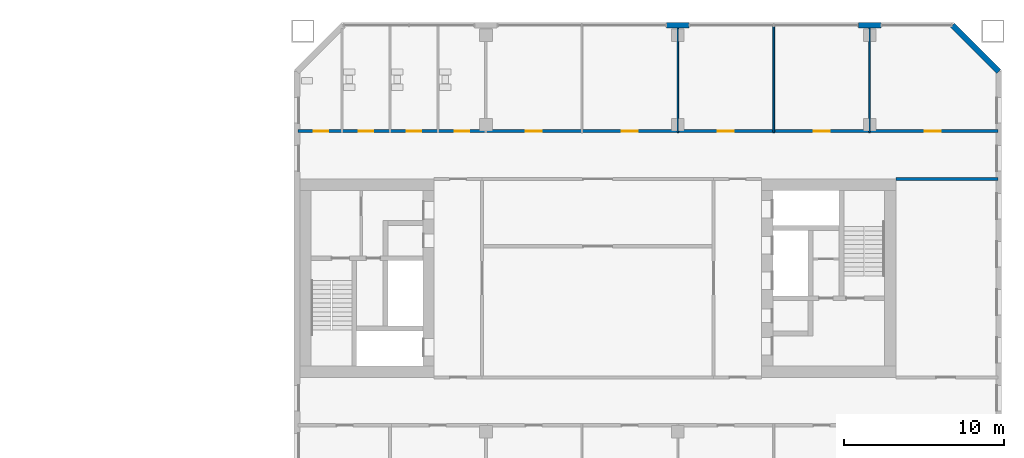
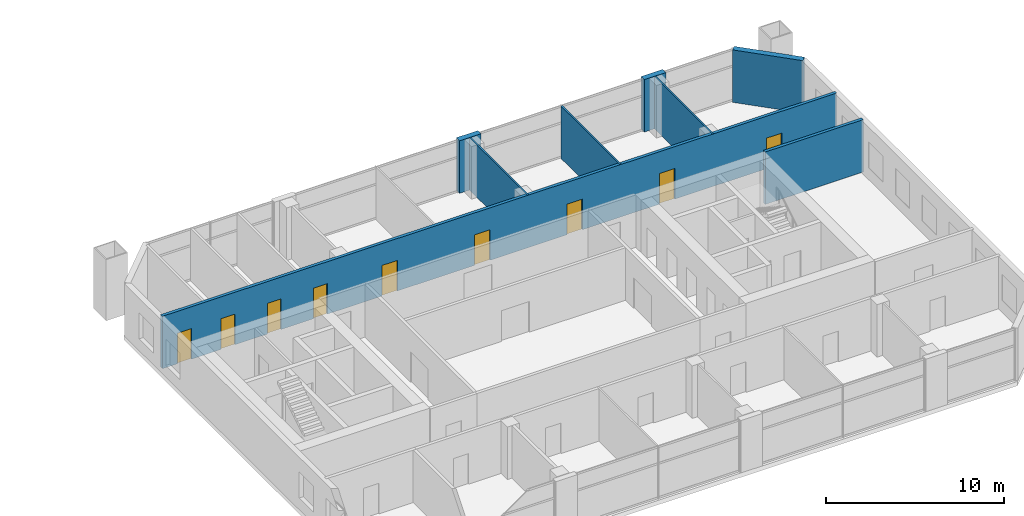
# One storey, part 16 of 19: 9 doors, 8 walls, 9 openings.
"""IFC4 building model written with IfcOpenShell, lengths in metres."""

from ifc_helpers import new_model, si_unit, direction, frame, frame_2d, origin, place, context, subcontext, project, spatial, rectangle, extrude, material, layer, layer_set, type_object, element, fill, save


model = new_model("IFC4")

# Units and contexts
model_context = context("Model", 3, precision=1e-05, world=origin(), true_north=direction((0.0, 1.0)))
body_context = subcontext(model_context, "Body", "Model", "MODEL_VIEW")
ifc_project = project(units=[si_unit("LENGTHUNIT", "METRE"), si_unit("AREAUNIT", "SQUARE_METRE"), si_unit("VOLUMEUNIT", "CUBIC_METRE"), si_unit("PLANEANGLEUNIT", "RADIAN"), si_unit("MASSUNIT", "GRAM", prefix="KILO")], contexts=[model_context])

# Site, building, storey
site_placement = place(None, origin())
site = spatial("IfcSite", under=ifc_project, at=site_placement, CompositionType="ELEMENT")
building_placement = place(site_placement, origin())
building = spatial("IfcBuilding", under=site, at=building_placement, Name="Tuart Gate Housing", CompositionType="ELEMENT")
storey_placement = place(building_placement, frame((0.0, 0.0, 67.39990234375)))
storey = spatial("IfcBuildingStorey", under=building, at=storey_placement, Name="L18", CompositionType="ELEMENT", Elevation=67.39990234375)

# Walls
ifc_material_1 = material(Name="Brick", Category="masonry")
ifc_layer_1 = layer(ifc_material_1, 0.360107421875)
ifc_layer_set_1 = layer_set([ifc_layer_1], Name="Brick pier and spandrel wall 360")
wall_type_1 = type_object("IfcWallType", Name="Brick pier and spandrel wall 360", PredefinedType="STANDARD", material=ifc_layer_set_1)
wall_1_placement = place(storey_placement, frame((175.070068359375, 82.92529296875, 0.0), z_axis=(0.0, 0.0, 1.0), x_axis=(-0.707106781187, 0.707106781187, 0.0)))
element("IfcWall", 1, at=wall_1_placement, inside=storey, type_object=wall_type_1, Name="External wall B-NE L18", PredefinedType="STANDARD", context=body_context, shape_type="SweptSolid", body=[
    extrude(rectangle(XDim=4.09375, YDim=0.360107421875, at=frame_2d((2.046875, 0.0))), origin(), (0.0, 0.0, 1.0), 3.60009765625),
])
for number, where, z_axis, x_axis, name in (
    (2, (167.699951171875, 85.820068359375, 0.0), (0.0, 0.0, 1.0), (-1.0, 0.0, 0.0), "External wall B-N L18"),
    (3, (155.699951171875, 85.820068359375, 0.0), (0.0, 0.0, 1.0), (-1.0, 0.0, 0.0), "External wall B-N L18"),
):
    element("IfcWall", number, at=place(storey_placement, frame(where, z_axis=z_axis, x_axis=x_axis)), inside=storey, type_object=wall_type_1, Name=name, PredefinedType="STANDARD", context=body_context, shape_type="SweptSolid", body=[
        extrude(rectangle(XDim=1.39990234375, YDim=0.360107421875, at=frame_2d((0.699951171875, 0.0))), origin(), (0.0, 0.0, 1.0), 3.60009765625),
    ])
ifc_material_2 = material(Name="Concrete masonry 15 MPa", Category="masonry")
ifc_layer_2 = layer(ifc_material_2, 0.199951171875)
ifc_layer_set_2 = layer_set([ifc_layer_2], Name="Corridor wall masonry 200")
wall_type_2 = type_object("IfcWallType", Name="Corridor wall masonry 200", PredefinedType="PARTITIONING", material=ifc_layer_set_2)
wall_2_placement = place(storey_placement, frame((168.639892578125, 76.199951171875, 0.0), z_axis=(0.0, 0.0, 1.0), x_axis=(1.0, 0.0, 0.0)))
element("IfcWall", 4, at=wall_2_placement, inside=storey, type_object=wall_type_2, Name="Corridor wall masonry 200", PredefinedType="PARTITIONING", context=body_context, shape_type="SweptSolid", body=[
    extrude(rectangle(XDim=6.3701171875, YDim=0.199951171875, at=frame_2d((3.18505859375, 0.0))), origin(), (0.0, 0.0, 1.0), 3.60009765625),
])

# Wall, openings, doors
wall_3_placement = place(storey_placement, frame((131.239990234375, 79.199951171875, 0.0), z_axis=(0.0, 0.0, 1.0), x_axis=(1.0, 0.0, 0.0)))
wall_3 = element("IfcWall", 5, at=wall_3_placement, inside=storey, type_object=wall_type_2, Name="Corridor wall masonry 200", PredefinedType="PARTITIONING", context=body_context, shape_type="SweptSolid", body=[
    extrude(rectangle(XDim=43.77001953125, YDim=0.199951171875, at=frame_2d((21.885009765625, 0.0))), origin(), (0.0, 0.0, 1.0), 3.60009765625),
])
opening_1_placement = place(wall_3_placement, frame((0.989990234375, 0.0, 0.0)))
opening_1 = element("IfcOpeningElement", 6, at=opening_1_placement, cuts=wall_3, Name="Opening D112", PredefinedType="OPENING", context=body_context, shape_type="SweptSolid", body=[
    extrude(rectangle(XDim=0.89990234375, YDim=2.10009765625, at=frame_2d((0.449951171875, 1.050048828125))), frame((0.0, 0.10986328125, 0.0), z_axis=(0.0, -1.0, 0.0), x_axis=(1.0, 0.0, 0.0)), (0.0, 0.0, 1.0), 0.219970703125),
])
opening_2_placement = place(wall_3_placement, frame((3.81005859375, 0.0, 0.0)))
opening_2 = element("IfcOpeningElement", 7, at=opening_2_placement, cuts=wall_3, Name="Opening D113", PredefinedType="OPENING", context=body_context, shape_type="SweptSolid", body=[
    extrude(rectangle(XDim=0.89990234375, YDim=2.10009765625, at=frame_2d((0.449951171875, 1.050048828125))), frame((0.0, 0.10986328125, 0.0), z_axis=(0.0, -1.0, 0.0), x_axis=(1.0, 0.0, 0.0)), (0.0, 0.0, 1.0), 0.219970703125),
])
opening_3_placement = place(wall_3_placement, frame((6.81005859375, 0.0, 0.0)))
opening_3 = element("IfcOpeningElement", 8, at=opening_3_placement, cuts=wall_3, Name="Opening D114", PredefinedType="OPENING", context=body_context, shape_type="SweptSolid", body=[
    extrude(rectangle(XDim=0.89990234375, YDim=2.10009765625, at=frame_2d((0.449951171875, 1.050048828125))), frame((0.0, 0.10986328125, 0.0), z_axis=(0.0, -1.0, 0.0), x_axis=(1.0, 0.0, 0.0)), (0.0, 0.0, 1.0), 0.219970703125),
])
opening_4_placement = place(wall_3_placement, frame((9.81005859375, 0.0, 0.0)))
opening_4 = element("IfcOpeningElement", 9, at=opening_4_placement, cuts=wall_3, Name="Opening D115", PredefinedType="OPENING", context=body_context, shape_type="SweptSolid", body=[
    extrude(rectangle(XDim=0.89990234375, YDim=2.10009765625, at=frame_2d((0.449951171875, 1.050048828125))), frame((0.0, 0.10986328125, 0.0), z_axis=(0.0, -1.0, 0.0), x_axis=(1.0, 0.0, 0.0)), (0.0, 0.0, 1.0), 0.219970703125),
])
opening_5_placement = place(wall_3_placement, frame((14.260009765625, 0.0, 0.0)))
opening_5 = element("IfcOpeningElement", 10, at=opening_5_placement, cuts=wall_3, Name="Opening D107", PredefinedType="OPENING", context=body_context, shape_type="SweptSolid", body=[
    extrude(rectangle(XDim=1.0, YDim=2.10009765625, at=frame_2d((0.5, 1.050048828125))), frame((0.0, 0.10986328125, 0.0), z_axis=(0.0, -1.0, 0.0), x_axis=(1.0, 0.0, 0.0)), (0.0, 0.0, 1.0), 0.219970703125),
])
opening_6_placement = place(wall_3_placement, frame((20.260009765625, 0.0, 0.0)))
opening_6 = element("IfcOpeningElement", 11, at=opening_6_placement, cuts=wall_3, Name="Opening D108", PredefinedType="OPENING", context=body_context, shape_type="SweptSolid", body=[
    extrude(rectangle(XDim=1.0, YDim=2.10009765625, at=frame_2d((0.5, 1.050048828125))), frame((0.0, 0.10986328125, 0.0), z_axis=(0.0, -1.0, 0.0), x_axis=(1.0, 0.0, 0.0)), (0.0, 0.0, 1.0), 0.219970703125),
])
opening_7_placement = place(wall_3_placement, frame((26.260009765625, 0.0, 0.0)))
opening_7 = element("IfcOpeningElement", 12, at=opening_7_placement, cuts=wall_3, Name="Opening D109", PredefinedType="OPENING", context=body_context, shape_type="SweptSolid", body=[
    extrude(rectangle(XDim=1.0, YDim=2.10009765625, at=frame_2d((0.5, 1.050048828125))), frame((0.0, 0.10986328125, 0.0), z_axis=(0.0, -1.0, 0.0), x_axis=(1.0, 0.0, 0.0)), (0.0, 0.0, 1.0), 0.219970703125),
])
opening_8_placement = place(wall_3_placement, frame((32.260009765625, 0.0, 0.0)))
opening_8 = element("IfcOpeningElement", 13, at=opening_8_placement, cuts=wall_3, Name="Opening D110", PredefinedType="OPENING", context=body_context, shape_type="SweptSolid", body=[
    extrude(rectangle(XDim=1.0, YDim=2.10009765625, at=frame_2d((0.5, 1.050048828125))), frame((0.0, 0.10986328125, 0.0), z_axis=(0.0, -1.0, 0.0), x_axis=(1.0, 0.0, 0.0)), (0.0, 0.0, 1.0), 0.219970703125),
])
opening_9_placement = place(wall_3_placement, frame((39.205078125, 0.0, 0.0)))
opening_9 = element("IfcOpeningElement", 14, at=opening_9_placement, cuts=wall_3, Name="Opening D111", PredefinedType="OPENING", context=body_context, shape_type="SweptSolid", body=[
    extrude(rectangle(XDim=1.0, YDim=2.10009765625, at=frame_2d((0.5, 1.050048828125))), frame((0.0, 0.10986328125, 0.0), z_axis=(0.0, -1.0, 0.0), x_axis=(1.0, 0.0, 0.0)), (0.0, 0.0, 1.0), 0.219970703125),
])
ifc_material_3 = material(Name="Timber door leaf in steel frame", Category="steel")
door_type_1 = type_object("IfcDoorType", Name="Fire door 1000", OperationType="SINGLE_SWING_LEFT", PredefinedType="DOOR", material=ifc_material_3)
door_1_placement = place(opening_5_placement, origin())
door_1 = element("IfcDoor", 15, at=door_1_placement, inside=storey, type_object=door_type_1, Name="Fire door 1000", OperationType="SINGLE_SWING_LEFT", OverallHeight=2.10009765625, OverallWidth=1.0, PredefinedType="DOOR", context=body_context, shape_type="SweptSolid", body=[
    extrude(rectangle(XDim=1.0, YDim=2.10009765625, at=frame_2d((0.5, 1.050048828125))), frame((0.0, 0.02490234375, 0.0), z_axis=(0.0, -1.0, 0.0), x_axis=(1.0, 0.0, 0.0)), (0.0, 0.0, 1.0), 0.050048828125),
])
fill(opening_5, door_1)
door_2_placement = place(opening_6_placement, origin())
door_2 = element("IfcDoor", 16, at=door_2_placement, inside=storey, type_object=door_type_1, Name="Fire door 1000", OperationType="SINGLE_SWING_LEFT", OverallHeight=2.10009765625, OverallWidth=1.0, PredefinedType="DOOR", context=body_context, shape_type="SweptSolid", body=[
    extrude(rectangle(XDim=1.0, YDim=2.10009765625, at=frame_2d((0.5, 1.050048828125))), frame((0.0, 0.02490234375, 0.0), z_axis=(0.0, -1.0, 0.0), x_axis=(1.0, 0.0, 0.0)), (0.0, 0.0, 1.0), 0.050048828125),
])
fill(opening_6, door_2)
door_3_placement = place(opening_7_placement, origin())
door_3 = element("IfcDoor", 17, at=door_3_placement, inside=storey, type_object=door_type_1, Name="Fire door 1000", OperationType="SINGLE_SWING_LEFT", OverallHeight=2.10009765625, OverallWidth=1.0, PredefinedType="DOOR", context=body_context, shape_type="SweptSolid", body=[
    extrude(rectangle(XDim=1.0, YDim=2.10009765625, at=frame_2d((0.5, 1.050048828125))), frame((0.0, 0.02490234375, 0.0), z_axis=(0.0, -1.0, 0.0), x_axis=(1.0, 0.0, 0.0)), (0.0, 0.0, 1.0), 0.050048828125),
])
fill(opening_7, door_3)
door_4_placement = place(opening_8_placement, origin())
door_4 = element("IfcDoor", 18, at=door_4_placement, inside=storey, type_object=door_type_1, Name="Fire door 1000", OperationType="SINGLE_SWING_LEFT", OverallHeight=2.10009765625, OverallWidth=1.0, PredefinedType="DOOR", context=body_context, shape_type="SweptSolid", body=[
    extrude(rectangle(XDim=1.0, YDim=2.10009765625, at=frame_2d((0.5, 1.050048828125))), frame((0.0, 0.02490234375, 0.0), z_axis=(0.0, -1.0, 0.0), x_axis=(1.0, 0.0, 0.0)), (0.0, 0.0, 1.0), 0.050048828125),
])
fill(opening_8, door_4)
door_5_placement = place(opening_9_placement, origin())
door_5 = element("IfcDoor", 19, at=door_5_placement, inside=storey, type_object=door_type_1, Name="Fire door 1000", OperationType="SINGLE_SWING_LEFT", OverallHeight=2.10009765625, OverallWidth=1.0, PredefinedType="DOOR", context=body_context, shape_type="SweptSolid", body=[
    extrude(rectangle(XDim=1.0, YDim=2.10009765625, at=frame_2d((0.5, 1.050048828125))), frame((0.0, 0.02490234375, 0.0), z_axis=(0.0, -1.0, 0.0), x_axis=(1.0, 0.0, 0.0)), (0.0, 0.0, 1.0), 0.050048828125),
])
fill(opening_9, door_5)
ifc_material_4 = material(Name="Timber door leaf in steel frame", Category="steel")
door_type_2 = type_object("IfcDoorType", Name="Fire door 900", OperationType="SINGLE_SWING_LEFT", PredefinedType="DOOR", material=ifc_material_4)
door_6_placement = place(opening_1_placement, origin())
door_6 = element("IfcDoor", 20, at=door_6_placement, inside=storey, type_object=door_type_2, Name="Fire door 900", OperationType="SINGLE_SWING_LEFT", OverallHeight=2.10009765625, OverallWidth=0.89990234375, PredefinedType="DOOR", context=body_context, shape_type="SweptSolid", body=[
    extrude(rectangle(XDim=0.89990234375, YDim=2.10009765625, at=frame_2d((0.449951171875, 1.050048828125))), frame((0.0, 0.02490234375, 0.0), z_axis=(0.0, -1.0, 0.0), x_axis=(1.0, 0.0, 0.0)), (0.0, 0.0, 1.0), 0.050048828125),
])
fill(opening_1, door_6)
door_7_placement = place(opening_2_placement, origin())
door_7 = element("IfcDoor", 21, at=door_7_placement, inside=storey, type_object=door_type_2, Name="Fire door 900", OperationType="SINGLE_SWING_LEFT", OverallHeight=2.10009765625, OverallWidth=0.89990234375, PredefinedType="DOOR", context=body_context, shape_type="SweptSolid", body=[
    extrude(rectangle(XDim=0.89990234375, YDim=2.10009765625, at=frame_2d((0.449951171875, 1.050048828125))), frame((0.0, 0.02490234375, 0.0), z_axis=(0.0, -1.0, 0.0), x_axis=(1.0, 0.0, 0.0)), (0.0, 0.0, 1.0), 0.050048828125),
])
fill(opening_2, door_7)
door_8_placement = place(opening_3_placement, origin())
door_8 = element("IfcDoor", 22, at=door_8_placement, inside=storey, type_object=door_type_2, Name="Fire door 900", OperationType="SINGLE_SWING_LEFT", OverallHeight=2.10009765625, OverallWidth=0.89990234375, PredefinedType="DOOR", context=body_context, shape_type="SweptSolid", body=[
    extrude(rectangle(XDim=0.89990234375, YDim=2.10009765625, at=frame_2d((0.449951171875, 1.050048828125))), frame((0.0, 0.02490234375, 0.0), z_axis=(0.0, -1.0, 0.0), x_axis=(1.0, 0.0, 0.0)), (0.0, 0.0, 1.0), 0.050048828125),
])
fill(opening_3, door_8)
door_9_placement = place(opening_4_placement, origin())
door_9 = element("IfcDoor", 23, at=door_9_placement, inside=storey, type_object=door_type_2, Name="Fire door 900", OperationType="SINGLE_SWING_LEFT", OverallHeight=2.10009765625, OverallWidth=0.89990234375, PredefinedType="DOOR", context=body_context, shape_type="SweptSolid", body=[
    extrude(rectangle(XDim=0.89990234375, YDim=2.10009765625, at=frame_2d((0.449951171875, 1.050048828125))), frame((0.0, 0.02490234375, 0.0), z_axis=(0.0, -1.0, 0.0), x_axis=(1.0, 0.0, 0.0)), (0.0, 0.0, 1.0), 0.050048828125),
])
fill(opening_4, door_9)

# Walls
ifc_material_5 = material(Name="Gypsum board on steel studs", Category="steel")
ifc_layer_3 = layer(ifc_material_5, 0.10009765625)
ifc_layer_set_3 = layer_set([ifc_layer_3], Name="Partition 100")
wall_type_3 = type_object("IfcWallType", Name="Partition 100", PredefinedType="PARTITIONING", material=ifc_layer_set_3)
for number, where, z_axis, x_axis, name in (
    (24, (155.0, 79.10009765625, 0.0), (0.0, 0.0, 1.0), (0.0, 1.0, 0.0), "Partition 100"),
    (25, (161.0, 79.10009765625, 0.0), (0.0, 0.0, 1.0), (0.0, 1.0, 0.0), "Partition 100"),
    (26, (167.0, 79.10009765625, 0.0), (0.0, 0.0, 1.0), (0.0, 1.0, 0.0), "Partition 100"),
):
    element("IfcWall", number, at=place(storey_placement, frame(where, z_axis=z_axis, x_axis=x_axis)), inside=storey, type_object=wall_type_3, Name=name, PredefinedType="PARTITIONING", context=body_context, shape_type="SweptSolid", body=[
        extrude(rectangle(XDim=6.659912109375, YDim=0.10009765625, at=frame_2d((3.330078125, 0.0))), origin(), (0.0, 0.0, 1.0), 3.60009765625),
    ])

save(model, "model.ifc")
